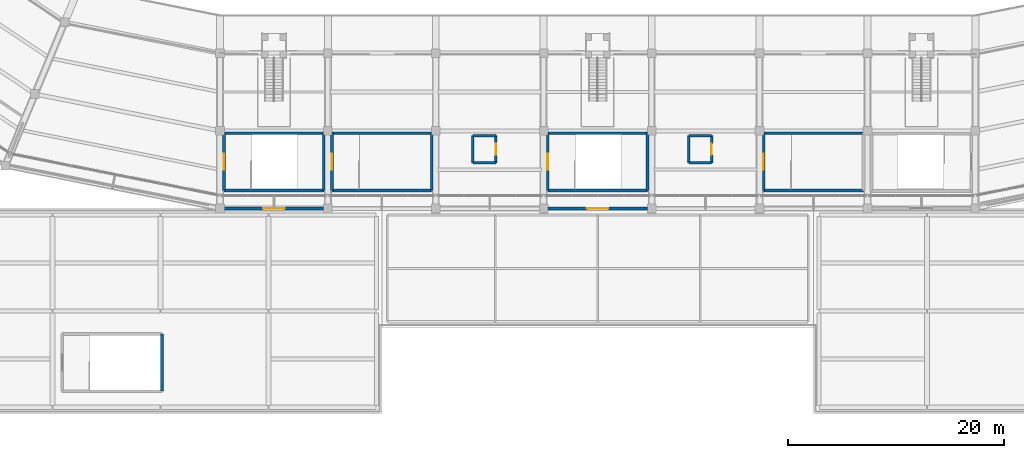
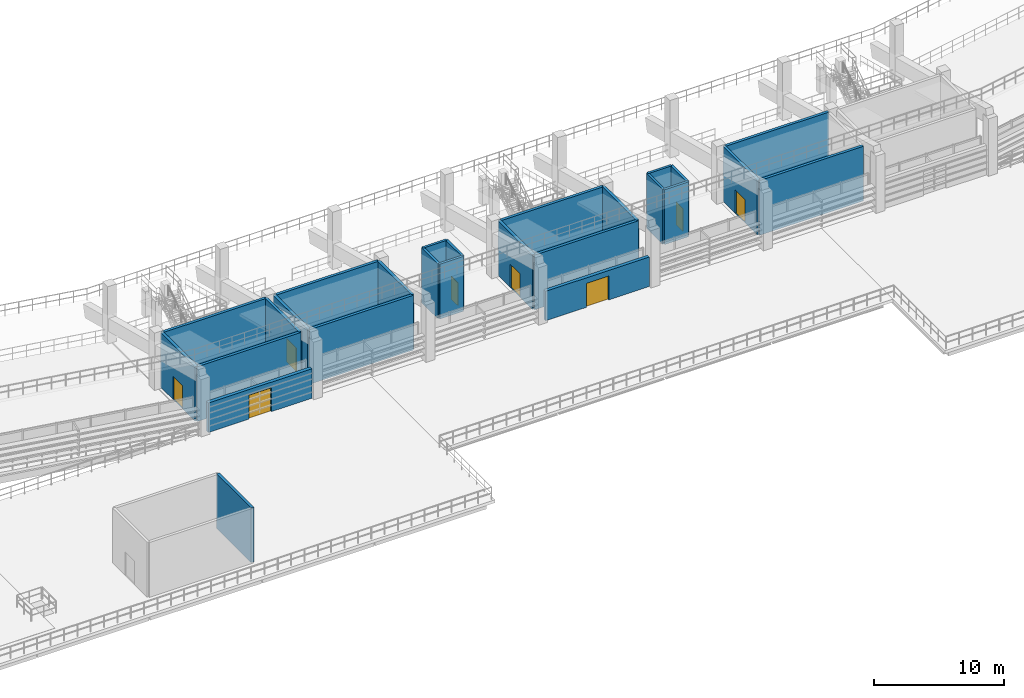
# One storey, part 61 of 96: 26 walls, 8 doors, 8 openings.
"""IFC4 building model written with IfcOpenShell, lengths in metres."""

from ifc_helpers import new_model, si_unit, direction, frame, frame_2d, origin, place, context, subcontext, project, spatial, rectangle, extrude, material, layer, layer_set, type_object, element, fill, save


model = new_model("IFC4")

# Units and contexts
model_context = context("Model", 3, precision=1e-05, world=origin(), true_north=direction((0.0, 1.0)))
body_context = subcontext(model_context, "Body", "Model", "MODEL_VIEW")
ifc_project = project(units=[si_unit("LENGTHUNIT", "METRE"), si_unit("AREAUNIT", "SQUARE_METRE"), si_unit("VOLUMEUNIT", "CUBIC_METRE"), si_unit("PLANEANGLEUNIT", "RADIAN"), si_unit("MASSUNIT", "GRAM", prefix="KILO")], contexts=[model_context])

# Site, building, storey
site_placement = place(None, origin())
site = spatial("IfcSite", under=ifc_project, at=site_placement, CompositionType="ELEMENT")
building_placement = place(site_placement, origin())
building = spatial("IfcBuilding", under=site, at=building_placement, Name="Candeia Ridge Stadium", CompositionType="ELEMENT")
storey_placement = place(building_placement, frame((0.0, 0.0, 21.60009765625)))
storey = spatial("IfcBuildingStorey", under=building, at=storey_placement, Name="L04", CompositionType="ELEMENT", Elevation=21.60009765625)

# Walls
ifc_material_1 = material(Name="Concrete C40/50", Category="concrete")
ifc_layer_1 = layer(ifc_material_1, 0.25, Name="Concrete C40/50", Category="concrete")
ifc_layer_set_1 = layer_set([ifc_layer_1], Name="Concrete C40/50")
wall_type_1 = type_object("IfcWallType", Name="Core Shear Wall Concrete 250", PredefinedType="SHEAR", material=ifc_layer_set_1)
wall_1_placement = place(storey_placement, frame((71.37548828125, 20.67529296875, 0.0), z_axis=(0.0, 0.0, 1.0), x_axis=(1.0, 0.0, 0.0)))
element("IfcWall", 1, at=wall_1_placement, inside=storey, type_object=wall_type_1, Name="Core C02 left shear wall L04", PredefinedType="SHEAR", context=body_context, shape_type="SweptSolid", body=[
    extrude(rectangle(XDim=9.2490234375, YDim=0.25, at=frame_2d((4.62451171875, 0.0))), origin(), (0.0, 0.0, 1.0), 5.14990234375),
])
wall_2_placement = place(storey_placement, frame((80.62451171875, 20.67529296875, 0.0), z_axis=(0.0, 0.0, 1.0), x_axis=(0.0, 1.0, 0.0)))
element("IfcWall", 2, at=wall_2_placement, inside=storey, type_object=wall_type_1, Name="Core C02 far shear wall L04", PredefinedType="SHEAR", context=body_context, shape_type="SweptSolid", body=[
    extrude(rectangle(XDim=5.29931640625, YDim=0.25, at=frame_2d((2.649658203125, 0.0))), origin(), (0.0, 0.0, 1.0), 5.14990234375),
])
wall_3_placement = place(storey_placement, frame((80.62451171875, 25.974609375, 0.0), z_axis=(0.0, 0.0, 1.0), x_axis=(-1.0, 0.0, 0.0)))
element("IfcWall", 3, at=wall_3_placement, inside=storey, type_object=wall_type_1, Name="Core C02 right shear wall L04", PredefinedType="SHEAR", context=body_context, shape_type="SweptSolid", body=[
    extrude(rectangle(XDim=9.2490234375, YDim=0.25, at=frame_2d((4.62451171875, 0.0))), origin(), (0.0, 0.0, 1.0), 5.14990234375),
])

# Wall, opening, door
wall_4_placement = place(storey_placement, frame((71.37548828125, 25.974609375, 0.0), z_axis=(0.0, 0.0, 1.0), x_axis=(0.0, -1.0, 0.0)))
wall_4 = element("IfcWall", 4, at=wall_4_placement, inside=storey, type_object=wall_type_1, Name="Core C02 near shear wall L04", PredefinedType="SHEAR", context=body_context, shape_type="SweptSolid", body=[
    extrude(rectangle(XDim=5.29931640625, YDim=0.25, at=frame_2d((2.649658203125, 0.0))), origin(), (0.0, 0.0, 1.0), 5.14990234375),
])
opening_1_placement = place(wall_4_placement, frame((1.899658203125, 0.0, 0.0)))
opening_1 = element("IfcOpeningElement", 5, at=opening_1_placement, cuts=wall_4, Name="Opening FD01", PredefinedType="OPENING", context=body_context, shape_type="SweptSolid", body=[
    extrude(rectangle(XDim=1.5, YDim=2.199951171875, at=frame_2d((0.75, 1.10009765625))), frame((0.0, 0.135009765625, 0.0), z_axis=(0.0, -1.0, 0.0), x_axis=(1.0, 0.0, 0.0)), (0.0, 0.0, 1.0), 0.27001953125),
])
ifc_material_2 = material(Name="Galvanized Fire-Rated Steel", Category="steel")
door_type_1 = type_object("IfcDoorType", Name="Exit Stair Core Fire Door 1500x2200", OperationType="NOTDEFINED", PredefinedType="DOOR", material=ifc_material_2)
door_1_placement = place(opening_1_placement, origin())
door_1 = element("IfcDoor", 6, at=door_1_placement, inside=storey, type_object=door_type_1, Name="Exit stair fire door SD-ST02-L04", OperationType="DOUBLE_DOOR_SINGLE_SWING", OverallHeight=2.199951171875, OverallWidth=1.5, PredefinedType="DOOR", context=body_context, shape_type="SweptSolid", body=[
    extrude(rectangle(XDim=1.5, YDim=2.199951171875, at=frame_2d((0.75, 1.10009765625))), frame((0.0, 0.02490234375, 0.0), z_axis=(0.0, -1.0, 0.0), x_axis=(1.0, 0.0, 0.0)), (0.0, 0.0, 1.0), 0.050048828125),
])
fill(opening_1, door_1)

# Walls
wall_5_placement = place(storey_placement, frame((81.37548828125, 20.67529296875, 0.0), z_axis=(0.0, 0.0, 1.0), x_axis=(1.0, 0.0, 0.0)))
element("IfcWall", 7, at=wall_5_placement, inside=storey, type_object=wall_type_1, Name="Core C11 left shear wall L04", PredefinedType="SHEAR", context=body_context, shape_type="SweptSolid", body=[
    extrude(rectangle(XDim=9.2490234375, YDim=0.25, at=frame_2d((4.62451171875, 0.0))), origin(), (0.0, 0.0, 1.0), 5.14990234375),
])
wall_6_placement = place(storey_placement, frame((90.62451171875, 20.67529296875, 0.0), z_axis=(0.0, 0.0, 1.0), x_axis=(0.0, 1.0, 0.0)))
element("IfcWall", 8, at=wall_6_placement, inside=storey, type_object=wall_type_1, Name="Core C11 far shear wall L04", PredefinedType="SHEAR", context=body_context, shape_type="SweptSolid", body=[
    extrude(rectangle(XDim=5.29931640625, YDim=0.25, at=frame_2d((2.649658203125, 0.0))), origin(), (0.0, 0.0, 1.0), 5.14990234375),
])
wall_7_placement = place(storey_placement, frame((90.62451171875, 25.974609375, 0.0), z_axis=(0.0, 0.0, 1.0), x_axis=(-1.0, 0.0, 0.0)))
element("IfcWall", 9, at=wall_7_placement, inside=storey, type_object=wall_type_1, Name="Core C11 right shear wall L04", PredefinedType="SHEAR", context=body_context, shape_type="SweptSolid", body=[
    extrude(rectangle(XDim=9.2490234375, YDim=0.25, at=frame_2d((4.62451171875, 0.0))), origin(), (0.0, 0.0, 1.0), 5.14990234375),
])

# Wall, opening, door
wall_8_placement = place(storey_placement, frame((81.37548828125, 25.974609375, 0.0), z_axis=(0.0, 0.0, 1.0), x_axis=(0.0, -1.0, 0.0)))
wall_8 = element("IfcWall", 10, at=wall_8_placement, inside=storey, type_object=wall_type_1, Name="Core C11 near shear wall L04", PredefinedType="SHEAR", context=body_context, shape_type="SweptSolid", body=[
    extrude(rectangle(XDim=5.29931640625, YDim=0.25, at=frame_2d((2.649658203125, 0.0))), origin(), (0.0, 0.0, 1.0), 5.14990234375),
])
opening_2_placement = place(wall_8_placement, frame((1.899658203125, 0.0, 0.0)))
opening_2 = element("IfcOpeningElement", 11, at=opening_2_placement, cuts=wall_8, Name="Opening FD01", PredefinedType="OPENING", context=body_context, shape_type="SweptSolid", body=[
    extrude(rectangle(XDim=1.5, YDim=2.199951171875, at=frame_2d((0.75, 1.10009765625))), frame((0.0, 0.135009765625, 0.0), z_axis=(0.0, -1.0, 0.0), x_axis=(1.0, 0.0, 0.0)), (0.0, 0.0, 1.0), 0.27001953125),
])
door_2_placement = place(opening_2_placement, origin())
door_2 = element("IfcDoor", 12, at=door_2_placement, inside=storey, type_object=door_type_1, Name="Exit stair fire door SD-ST11-L04", OperationType="DOUBLE_DOOR_SINGLE_SWING", OverallHeight=2.199951171875, OverallWidth=1.5, PredefinedType="DOOR", context=body_context, shape_type="SweptSolid", body=[
    extrude(rectangle(XDim=1.5, YDim=2.199951171875, at=frame_2d((0.75, 1.10009765625))), frame((0.0, 0.02490234375, 0.0), z_axis=(0.0, -1.0, 0.0), x_axis=(1.0, 0.0, 0.0)), (0.0, 0.0, 1.0), 0.050048828125),
])
fill(opening_2, door_2)

# Walls
for number, where, z_axis, x_axis, name in (
    (13, (121.37548828125, 20.67529296875, 0.0), (0.0, 0.0, 1.0), (1.0, 0.0, 0.0), "Core C12 left shear wall L04"),
    (14, (130.62451171875, 25.974609375, 0.0), (0.0, 0.0, 1.0), (-1.0, 0.0, 0.0), "Core C12 right shear wall L04"),
):
    element("IfcWall", number, at=place(storey_placement, frame(where, z_axis=z_axis, x_axis=x_axis)), inside=storey, type_object=wall_type_1, Name=name, PredefinedType="SHEAR", context=body_context, shape_type="SweptSolid", body=[
        extrude(rectangle(XDim=9.2490234375, YDim=0.25, at=frame_2d((4.62451171875, 0.0))), origin(), (0.0, 0.0, 1.0), 5.14990234375),
    ])

# Wall, opening, door
wall_9_placement = place(storey_placement, frame((121.37548828125, 25.974609375, 0.0), z_axis=(0.0, 0.0, 1.0), x_axis=(0.0, -1.0, 0.0)))
wall_9 = element("IfcWall", 15, at=wall_9_placement, inside=storey, type_object=wall_type_1, Name="Core C12 near shear wall L04", PredefinedType="SHEAR", context=body_context, shape_type="SweptSolid", body=[
    extrude(rectangle(XDim=5.29931640625, YDim=0.25, at=frame_2d((2.649658203125, 0.0))), origin(), (0.0, 0.0, 1.0), 5.14990234375),
])
opening_3_placement = place(wall_9_placement, frame((1.899658203125, 0.0, 0.0)))
opening_3 = element("IfcOpeningElement", 16, at=opening_3_placement, cuts=wall_9, Name="Opening FD01", PredefinedType="OPENING", context=body_context, shape_type="SweptSolid", body=[
    extrude(rectangle(XDim=1.5, YDim=2.199951171875, at=frame_2d((0.75, 1.10009765625))), frame((0.0, 0.135009765625, 0.0), z_axis=(0.0, -1.0, 0.0), x_axis=(1.0, 0.0, 0.0)), (0.0, 0.0, 1.0), 0.27001953125),
])
door_3_placement = place(opening_3_placement, origin())
door_3 = element("IfcDoor", 17, at=door_3_placement, inside=storey, type_object=door_type_1, Name="Exit stair fire door SD-ST12-L04", OperationType="DOUBLE_DOOR_SINGLE_SWING", OverallHeight=2.199951171875, OverallWidth=1.5, PredefinedType="DOOR", context=body_context, shape_type="SweptSolid", body=[
    extrude(rectangle(XDim=1.5, YDim=2.199951171875, at=frame_2d((0.75, 1.10009765625))), frame((0.0, 0.02490234375, 0.0), z_axis=(0.0, -1.0, 0.0), x_axis=(1.0, 0.0, 0.0)), (0.0, 0.0, 1.0), 0.050048828125),
])
fill(opening_3, door_3)

# Walls
wall_10_placement = place(storey_placement, frame((65.62451171875, 2.075439453125, 0.0), z_axis=(0.0, 0.0, 1.0), x_axis=(0.0, 1.0, 0.0)))
element("IfcWall", 18, at=wall_10_placement, inside=storey, type_object=wall_type_1, Name="Core C13 far shear wall L04", PredefinedType="SHEAR", context=body_context, shape_type="SweptSolid", body=[
    extrude(rectangle(XDim=5.299072265625, YDim=0.25, at=frame_2d((2.6494140625, 0.0))), origin(), (0.0, 0.0, 1.0), 5.14990234375),
])
wall_11_placement = place(storey_placement, frame((101.37548828125, 20.67529296875, 0.0), z_axis=(0.0, 0.0, 1.0), x_axis=(1.0, 0.0, 0.0)))
element("IfcWall", 19, at=wall_11_placement, inside=storey, type_object=wall_type_1, Name="Core C18 left shear wall L04", PredefinedType="SHEAR", context=body_context, shape_type="SweptSolid", body=[
    extrude(rectangle(XDim=9.2490234375, YDim=0.25, at=frame_2d((4.62451171875, 0.0))), origin(), (0.0, 0.0, 1.0), 5.14990234375),
])
wall_12_placement = place(storey_placement, frame((110.62451171875, 20.67529296875, 0.0), z_axis=(0.0, 0.0, 1.0), x_axis=(0.0, 1.0, 0.0)))
element("IfcWall", 20, at=wall_12_placement, inside=storey, type_object=wall_type_1, Name="Core C18 far shear wall L04", PredefinedType="SHEAR", context=body_context, shape_type="SweptSolid", body=[
    extrude(rectangle(XDim=5.29931640625, YDim=0.25, at=frame_2d((2.649658203125, 0.0))), origin(), (0.0, 0.0, 1.0), 5.14990234375),
])
wall_13_placement = place(storey_placement, frame((110.62451171875, 25.974609375, 0.0), z_axis=(0.0, 0.0, 1.0), x_axis=(-1.0, 0.0, 0.0)))
element("IfcWall", 21, at=wall_13_placement, inside=storey, type_object=wall_type_1, Name="Core C18 right shear wall L04", PredefinedType="SHEAR", context=body_context, shape_type="SweptSolid", body=[
    extrude(rectangle(XDim=9.2490234375, YDim=0.25, at=frame_2d((4.62451171875, 0.0))), origin(), (0.0, 0.0, 1.0), 5.14990234375),
])

# Wall, opening, door
wall_14_placement = place(storey_placement, frame((101.37548828125, 25.974609375, 0.0), z_axis=(0.0, 0.0, 1.0), x_axis=(0.0, -1.0, 0.0)))
wall_14 = element("IfcWall", 22, at=wall_14_placement, inside=storey, type_object=wall_type_1, Name="Core C18 near shear wall L04", PredefinedType="SHEAR", context=body_context, shape_type="SweptSolid", body=[
    extrude(rectangle(XDim=5.29931640625, YDim=0.25, at=frame_2d((2.649658203125, 0.0))), origin(), (0.0, 0.0, 1.0), 5.14990234375),
])
opening_4_placement = place(wall_14_placement, frame((1.899658203125, 0.0, 0.0)))
opening_4 = element("IfcOpeningElement", 23, at=opening_4_placement, cuts=wall_14, Name="Opening FD01", PredefinedType="OPENING", context=body_context, shape_type="SweptSolid", body=[
    extrude(rectangle(XDim=1.5, YDim=2.199951171875, at=frame_2d((0.75, 1.10009765625))), frame((0.0, 0.135009765625, 0.0), z_axis=(0.0, -1.0, 0.0), x_axis=(1.0, 0.0, 0.0)), (0.0, 0.0, 1.0), 0.27001953125),
])
door_4_placement = place(opening_4_placement, origin())
door_4 = element("IfcDoor", 24, at=door_4_placement, inside=storey, type_object=door_type_1, Name="Exit stair fire door SD-ST18-L04", OperationType="DOUBLE_DOOR_SINGLE_SWING", OverallHeight=2.199951171875, OverallWidth=1.5, PredefinedType="DOOR", context=body_context, shape_type="SweptSolid", body=[
    extrude(rectangle(XDim=1.5, YDim=2.199951171875, at=frame_2d((0.75, 1.10009765625))), frame((0.0, 0.02490234375, 0.0), z_axis=(0.0, -1.0, 0.0), x_axis=(1.0, 0.0, 0.0)), (0.0, 0.0, 1.0), 0.050048828125),
])
fill(opening_4, door_4)

ifc_material_3 = material(Name="Concrete C35/45", Category="concrete")
ifc_layer_2 = layer(ifc_material_3, 0.300048828125, Name="Concrete C35/45", Category="concrete")
ifc_layer_set_2 = layer_set([ifc_layer_2], Name="Concrete C35/45")
wall_type_2 = type_object("IfcWallType", Name="Exterior Pavilion Rainscreen Wall 300", PredefinedType="SOLIDWALL", material=ifc_layer_set_2)
wall_15_placement = place(storey_placement, frame((71.387939453125, 19.0, 0.0), z_axis=(0.0, 0.0, 1.0), x_axis=(1.0, 0.0, 0.0)))
wall_15 = element("IfcWall", 25, at=wall_15_placement, inside=storey, type_object=wall_type_2, Name="Terrace threshold wall EW-L04-0217", PredefinedType="SOLIDWALL", context=body_context, shape_type="SweptSolid", body=[
    extrude(rectangle(XDim=9.22412109375, YDim=0.300048828125, at=frame_2d((4.612060546875, 0.0))), origin(), (0.0, 0.0, 1.0), 2.772216796875),
])
opening_5_placement = place(wall_15_placement, frame((3.612060546875, 0.0, 0.0)))
opening_5 = element("IfcOpeningElement", 26, at=opening_5_placement, cuts=wall_15, Name="Opening ED06", PredefinedType="OPENING", context=body_context, shape_type="SweptSolid", body=[
    extrude(rectangle(XDim=2.0, YDim=2.25, at=frame_2d((1.0, 1.125))), frame((0.0, 0.159912109375, 0.0), z_axis=(0.0, -1.0, 0.0), x_axis=(1.0, 0.0, 0.0)), (0.0, 0.0, 1.0), 0.320068359375),
])
ifc_material_4 = material(Name="Aluminium Thermal-Break Glazed Door", Category="aluminium")
door_type_2 = type_object("IfcDoorType", Name="Terrace Lounge Double Door 2000x2250", OperationType="NOTDEFINED", PredefinedType="DOOR", material=ifc_material_4)
door_5_placement = place(opening_5_placement, frame((2.0, 0.0, 0.0), z_axis=(0.0, 0.0, 1.0), x_axis=(-1.0, 0.0, 0.0)))
door_5 = element("IfcDoor", 27, at=door_5_placement, inside=storey, type_object=door_type_2, Name="South-west boulevard roof garden door TD-056", OperationType="DOUBLE_DOOR_SINGLE_SWING", OverallHeight=2.25, OverallWidth=2.0, PredefinedType="DOOR", context=body_context, shape_type="SweptSolid", body=[
    extrude(rectangle(XDim=2.0, YDim=2.25, at=frame_2d((1.0, 1.125))), frame((0.0, 0.02490234375, 0.0), z_axis=(0.0, -1.0, 0.0), x_axis=(1.0, 0.0, 0.0)), (0.0, 0.0, 1.0), 0.050048828125),
])
fill(opening_5, door_5)

wall_16_placement = place(storey_placement, frame((101.387939453125, 19.0, 0.0), z_axis=(0.0, 0.0, 1.0), x_axis=(1.0, 0.0, 0.0)))
wall_16 = element("IfcWall", 28, at=wall_16_placement, inside=storey, type_object=wall_type_2, Name="Terrace threshold wall EW-L04-0218", PredefinedType="SOLIDWALL", context=body_context, shape_type="SweptSolid", body=[
    extrude(rectangle(XDim=9.22412109375, YDim=0.300048828125, at=frame_2d((4.612060546875, 0.0))), origin(), (0.0, 0.0, 1.0), 2.772216796875),
])
opening_6_placement = place(wall_16_placement, frame((3.612060546875, 0.0, 0.0)))
opening_6 = element("IfcOpeningElement", 29, at=opening_6_placement, cuts=wall_16, Name="Opening ED06", PredefinedType="OPENING", context=body_context, shape_type="SweptSolid", body=[
    extrude(rectangle(XDim=2.0, YDim=2.25, at=frame_2d((1.0, 1.125))), frame((0.0, 0.159912109375, 0.0), z_axis=(0.0, -1.0, 0.0), x_axis=(1.0, 0.0, 0.0)), (0.0, 0.0, 1.0), 0.320068359375),
])
door_6_placement = place(opening_6_placement, frame((2.0, 0.0, 0.0), z_axis=(0.0, 0.0, 1.0), x_axis=(-1.0, 0.0, 0.0)))
door_6 = element("IfcDoor", 30, at=door_6_placement, inside=storey, type_object=door_type_2, Name="South gate podium terrace door TD-057", OperationType="DOUBLE_DOOR_SINGLE_SWING", OverallHeight=2.25, OverallWidth=2.0, PredefinedType="DOOR", context=body_context, shape_type="SweptSolid", body=[
    extrude(rectangle(XDim=2.0, YDim=2.25, at=frame_2d((1.0, 1.125))), frame((0.0, 0.02490234375, 0.0), z_axis=(0.0, -1.0, 0.0), x_axis=(1.0, 0.0, 0.0)), (0.0, 0.0, 1.0), 0.050048828125),
])
fill(opening_6, door_6)

# Wall
ifc_layer_3 = layer(ifc_material_1, 0.219970703125, Name="Concrete C40/50", Category="concrete")
ifc_layer_set_3 = layer_set([ifc_layer_3], Name="Concrete C40/50")
wall_type_3 = type_object("IfcWallType", Name="Lift & Riser Shaft Wall 220", PredefinedType="SHEAR", material=ifc_layer_set_3)
wall_17_placement = place(storey_placement, frame((94.43994140625, 23.239990234375, 0.0), z_axis=(0.0, 0.0, 1.0), x_axis=(1.0, 0.0, 0.0)))
element("IfcWall", 31, at=wall_17_placement, inside=storey, type_object=wall_type_3, Name="Lift PL3 shaft wall L04 south", PredefinedType="SHEAR", context=body_context, shape_type="SweptSolid", body=[
    extrude(rectangle(XDim=2.1201171875, YDim=0.219970703125, at=frame_2d((1.06005859375, 0.0))), origin(), (0.0, 0.0, 1.0), 5.14990234375),
])

# Wall, opening, door
wall_18_placement = place(storey_placement, frame((96.56005859375, 23.239990234375, 0.0), z_axis=(0.0, 0.0, 1.0), x_axis=(0.0, 1.0, 0.0)))
wall_18 = element("IfcWall", 32, at=wall_18_placement, inside=storey, type_object=wall_type_3, Name="Lift PL3 shaft wall L04 east", PredefinedType="SHEAR", context=body_context, shape_type="SweptSolid", body=[
    extrude(rectangle(XDim=2.52001953125, YDim=0.219970703125, at=frame_2d((1.260009765625, 0.0))), origin(), (0.0, 0.0, 1.0), 5.14990234375),
])
opening_7_placement = place(wall_18_placement, frame((0.735107421875, 0.0, 0.0)))
opening_7 = element("IfcOpeningElement", 33, at=opening_7_placement, cuts=wall_18, Name="Opening LD02", PredefinedType="OPENING", context=body_context, shape_type="SweptSolid", body=[
    extrude(rectangle(XDim=1.050048828125, YDim=2.14990234375, at=frame_2d((0.52490234375, 1.074951171875))), frame((0.0, 0.119873046875, 0.0), z_axis=(0.0, -1.0, 0.0), x_axis=(1.0, 0.0, 0.0)), (0.0, 0.0, 1.0), 0.239990234375),
])
ifc_material_5 = material(Name="Brushed Stainless Steel", Category="steel")
door_type_3 = type_object("IfcDoorType", Name="Passenger Lift Landing Door 1050x2150", OperationType="NOTDEFINED", PredefinedType="DOOR", material=ifc_material_5)
door_7_placement = place(opening_7_placement, origin())
door_7 = element("IfcDoor", 34, at=door_7_placement, inside=storey, type_object=door_type_3, Name="Lift landing sliding door LD-PL3-L04", OperationType="DOUBLE_DOOR_SLIDING", OverallHeight=2.14990234375, OverallWidth=1.050048828125, PredefinedType="DOOR", context=body_context, shape_type="SweptSolid", body=[
    extrude(rectangle(XDim=1.050048828125, YDim=2.14990234375, at=frame_2d((0.52490234375, 1.074951171875))), frame((0.0, 0.02490234375, 0.0), z_axis=(0.0, -1.0, 0.0), x_axis=(1.0, 0.0, 0.0)), (0.0, 0.0, 1.0), 0.050048828125),
])
fill(opening_7, door_7)

# Walls
wall_19_placement = place(storey_placement, frame((96.56005859375, 25.760009765625, 0.0), z_axis=(0.0, 0.0, 1.0), x_axis=(-1.0, 0.0, 0.0)))
element("IfcWall", 35, at=wall_19_placement, inside=storey, type_object=wall_type_3, Name="Lift PL3 shaft wall L04 north", PredefinedType="SHEAR", context=body_context, shape_type="SweptSolid", body=[
    extrude(rectangle(XDim=2.1201171875, YDim=0.219970703125, at=frame_2d((1.06005859375, 0.0))), origin(), (0.0, 0.0, 1.0), 5.14990234375),
])
wall_20_placement = place(storey_placement, frame((94.43994140625, 25.760009765625, 0.0), z_axis=(0.0, 0.0, 1.0), x_axis=(0.0, -1.0, 0.0)))
element("IfcWall", 36, at=wall_20_placement, inside=storey, type_object=wall_type_3, Name="Lift PL3 shaft wall L04 west", PredefinedType="SHEAR", context=body_context, shape_type="SweptSolid", body=[
    extrude(rectangle(XDim=2.52001953125, YDim=0.219970703125, at=frame_2d((1.260009765625, 0.0))), origin(), (0.0, 0.0, 1.0), 5.14990234375),
])
wall_21_placement = place(storey_placement, frame((114.43994140625, 23.239990234375, 0.0), z_axis=(0.0, 0.0, 1.0), x_axis=(1.0, 0.0, 0.0)))
element("IfcWall", 37, at=wall_21_placement, inside=storey, type_object=wall_type_3, Name="Lift PL4 shaft wall L04 south", PredefinedType="SHEAR", context=body_context, shape_type="SweptSolid", body=[
    extrude(rectangle(XDim=2.1201171875, YDim=0.219970703125, at=frame_2d((1.06005859375, 0.0))), origin(), (0.0, 0.0, 1.0), 5.14990234375),
])

# Wall, opening, door
wall_22_placement = place(storey_placement, frame((116.56005859375, 23.239990234375, 0.0), z_axis=(0.0, 0.0, 1.0), x_axis=(0.0, 1.0, 0.0)))
wall_22 = element("IfcWall", 38, at=wall_22_placement, inside=storey, type_object=wall_type_3, Name="Lift PL4 shaft wall L04 east", PredefinedType="SHEAR", context=body_context, shape_type="SweptSolid", body=[
    extrude(rectangle(XDim=2.52001953125, YDim=0.219970703125, at=frame_2d((1.260009765625, 0.0))), origin(), (0.0, 0.0, 1.0), 5.14990234375),
])
opening_8_placement = place(wall_22_placement, frame((0.735107421875, 0.0, 0.0)))
opening_8 = element("IfcOpeningElement", 39, at=opening_8_placement, cuts=wall_22, Name="Opening LD02", PredefinedType="OPENING", context=body_context, shape_type="SweptSolid", body=[
    extrude(rectangle(XDim=1.050048828125, YDim=2.14990234375, at=frame_2d((0.52490234375, 1.074951171875))), frame((0.0, 0.119873046875, 0.0), z_axis=(0.0, -1.0, 0.0), x_axis=(1.0, 0.0, 0.0)), (0.0, 0.0, 1.0), 0.239990234375),
])
door_8_placement = place(opening_8_placement, origin())
door_8 = element("IfcDoor", 40, at=door_8_placement, inside=storey, type_object=door_type_3, Name="Lift landing sliding door LD-PL4-L04", OperationType="DOUBLE_DOOR_SLIDING", OverallHeight=2.14990234375, OverallWidth=1.050048828125, PredefinedType="DOOR", context=body_context, shape_type="SweptSolid", body=[
    extrude(rectangle(XDim=1.050048828125, YDim=2.14990234375, at=frame_2d((0.52490234375, 1.074951171875))), frame((0.0, 0.02490234375, 0.0), z_axis=(0.0, -1.0, 0.0), x_axis=(1.0, 0.0, 0.0)), (0.0, 0.0, 1.0), 0.050048828125),
])
fill(opening_8, door_8)

# Walls
wall_23_placement = place(storey_placement, frame((116.56005859375, 25.760009765625, 0.0), z_axis=(0.0, 0.0, 1.0), x_axis=(-1.0, 0.0, 0.0)))
element("IfcWall", 41, at=wall_23_placement, inside=storey, type_object=wall_type_3, Name="Lift PL4 shaft wall L04 north", PredefinedType="SHEAR", context=body_context, shape_type="SweptSolid", body=[
    extrude(rectangle(XDim=2.1201171875, YDim=0.219970703125, at=frame_2d((1.06005859375, 0.0))), origin(), (0.0, 0.0, 1.0), 5.14990234375),
])
wall_24_placement = place(storey_placement, frame((114.43994140625, 25.760009765625, 0.0), z_axis=(0.0, 0.0, 1.0), x_axis=(0.0, -1.0, 0.0)))
element("IfcWall", 42, at=wall_24_placement, inside=storey, type_object=wall_type_3, Name="Lift PL4 shaft wall L04 west", PredefinedType="SHEAR", context=body_context, shape_type="SweptSolid", body=[
    extrude(rectangle(XDim=2.52001953125, YDim=0.219970703125, at=frame_2d((1.260009765625, 0.0))), origin(), (0.0, 0.0, 1.0), 5.14990234375),
])

save(model, "model.ifc")
